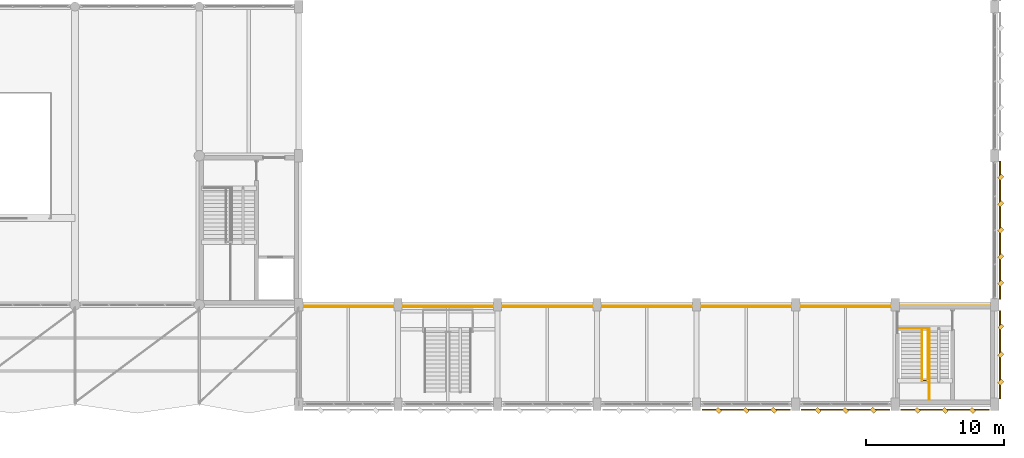
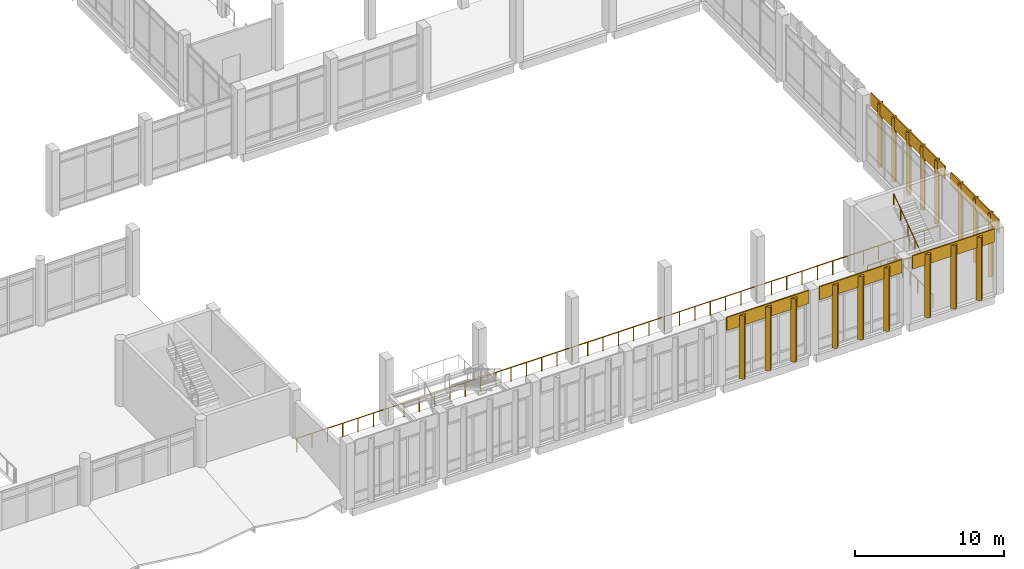
# One storey, part 176 of 180: 22 coverings, 5 railings.
"""IFC4 building model written with IfcOpenShell, lengths in metres."""

from ifc_helpers import new_model, si_unit, direction, frame, origin, origin_2d, place, context, subcontext, project, spatial, rectangle, circle, extrude, material, layer, layer_set, type_object, element, save


model = new_model("IFC4")

# Units and contexts
model_context = context("Model", 3, precision=1e-05, world=origin(), true_north=direction((0.0, 1.0)))
body_context = subcontext(model_context, "Body", "Model", "MODEL_VIEW")
ifc_project = project(units=[si_unit("LENGTHUNIT", "METRE"), si_unit("AREAUNIT", "SQUARE_METRE"), si_unit("VOLUMEUNIT", "CUBIC_METRE"), si_unit("PLANEANGLEUNIT", "RADIAN"), si_unit("MASSUNIT", "GRAM", prefix="KILO")], contexts=[model_context])

# Site, building, storey
site_placement = place(None, origin())
site = spatial("IfcSite", under=ifc_project, at=site_placement, CompositionType="ELEMENT")
building_placement = place(site_placement, origin())
building = spatial("IfcBuilding", under=site, at=building_placement, Name="Lusvemor Sports Hall", CompositionType="ELEMENT")
storey_placement = place(building_placement, frame((0.0, 0.0, 5.39990234375)))
storey = spatial("IfcBuildingStorey", under=building, at=storey_placement, Name="L01", CompositionType="ELEMENT", Elevation=5.39990234375)

# Coverings
ifc_material_1 = material(Name="Emerald polychrome glazed ceramic cladding on Concrete C40/50 backing", Category="concrete")
ifc_layer_1 = layer(ifc_material_1, 0.0458984375)
ifc_layer_set_1 = layer_set([ifc_layer_1], Name="Emerald polychrome glazed ceramic cladding on Concrete C40/50 backing")
covering_type_1 = type_object("IfcCoveringType", Name="CLAD_WAVE_EMERALD", PredefinedType="CLADDING", material=ifc_layer_set_1)
for number, where, z_axis, x_axis, name in (
    (1, (151.199951171875, -0.43994140625, 0.10009765625), (0.0, 0.0, 1.0), (0.707106781187, 0.707106781187, 0.0), "Patterned Diamond Cladding Rib 214"),
    (2, (158.39990234375, -0.43994140625, 0.10009765625), (0.0, 0.0, 1.0), (0.707106781187, 0.707106781187, 0.0), "Patterned Diamond Cladding Rib 230"),
    (3, (165.60009765625, -0.43994140625, 0.10009765625), (0.0, 0.0, 1.0), (0.707106781187, 0.707106781187, 0.0), "Patterned Diamond Cladding Rib 246"),
):
    element("IfcCovering", number, at=place(storey_placement, frame(where, z_axis=z_axis, x_axis=x_axis)), inside=storey, type_object=covering_type_1, Name=name, PredefinedType="CLADDING", context=body_context, shape_type="SweptSolid", body=[
        extrude(rectangle(XDim=0.280029296875, YDim=0.3798828125, at=origin_2d()), origin(), (0.0, 0.0, 1.0), 5.199951171875),
    ])
for number, where, z_axis, x_axis, name in (
    (4, (169.639892578125, 3.60009765625, 0.10009765625), (0.0, 0.0, 1.0), (0.707106781187, 0.707106781187, 0.0), "Patterned Diamond Cladding Rib 268"),
    (5, (169.639892578125, 10.679931640625, 0.10009765625), (0.0, 0.0, 1.0), (0.707106781187, 0.707106781187, 0.0), "Patterned Diamond Cladding Rib 286"),
    (6, (169.639892578125, 14.52001953125, 0.10009765625), (0.0, 0.0, 1.0), (0.707106781187, 0.707106781187, 0.0), "Patterned Diamond Cladding Rib 288"),
):
    element("IfcCovering", number, at=place(storey_placement, frame(where, z_axis=z_axis, x_axis=x_axis)), inside=storey, type_object=covering_type_1, Name=name, PredefinedType="CLADDING", context=body_context, shape_type="SweptSolid", body=[
        extrude(rectangle(XDim=0.3798828125, YDim=0.280029296875, at=origin_2d()), origin(), (0.0, 0.0, 1.0), 5.199951171875),
    ])
ifc_material_2 = material(Name="Warm terracotta Art Nouveau ceramic cladding on Concrete C40/50 backing", Category="masonry")
ifc_layer_2 = layer(ifc_material_2, 0.0380859375)
ifc_layer_set_2 = layer_set([ifc_layer_2], Name="Warm terracotta Art Nouveau ceramic cladding on Concrete C40/50 backing")
covering_type_2 = type_object("IfcCoveringType", Name="CLAD_WAVE_OCHRE", PredefinedType="CLADDING", material=ifc_layer_set_2)
for number, where, z_axis, x_axis, name in (
    (7, (151.199951171875, -0.389892578125, 4.380126953125), (0.0, 0.0, 1.0), (1.0, 0.0, 0.0), "Art Nouveau Spandrel Cornice 212"),
    (8, (158.39990234375, -0.389892578125, 4.380126953125), (0.0, 0.0, 1.0), (1.0, 0.0, 0.0), "Art Nouveau Spandrel Cornice 228"),
    (9, (165.60009765625, -0.389892578125, 4.380126953125), (0.0, 0.0, 1.0), (1.0, 0.0, 0.0), "Art Nouveau Spandrel Cornice 244"),
):
    element("IfcCovering", number, at=place(storey_placement, frame(where, z_axis=z_axis, x_axis=x_axis)), inside=storey, type_object=covering_type_2, Name=name, PredefinedType="CLADDING", context=body_context, shape_type="SweptSolid", body=[
        extrude(rectangle(XDim=6.3798828125, YDim=0.090087890625, at=origin_2d()), origin(), (0.0, 0.0, 1.0), 1.080078125),
    ])
covering_1_placement = place(storey_placement, frame((169.590087890625, 3.60009765625, 4.380126953125), z_axis=(0.0, 0.0, 1.0), x_axis=(1.0, 0.0, 0.0)))
element("IfcCovering", 10, at=covering_1_placement, inside=storey, type_object=covering_type_2, Name="Art Nouveau Spandrel Cornice 266", PredefinedType="CLADDING", context=body_context, shape_type="SweptSolid", body=[
    extrude(rectangle(XDim=0.090087890625, YDim=6.3798828125, at=origin_2d()), origin(), (0.0, 0.0, 1.0), 1.080078125),
])
covering_2_placement = place(storey_placement, frame((169.590087890625, 12.60009765625, 4.380126953125), z_axis=(0.0, 0.0, 1.0), x_axis=(1.0, 0.0, 0.0)))
element("IfcCovering", 11, at=covering_2_placement, inside=storey, type_object=covering_type_2, Name="Art Nouveau Spandrel Cornice 284", PredefinedType="CLADDING", context=body_context, shape_type="SweptSolid", body=[
    extrude(rectangle(XDim=0.090087890625, YDim=9.97998046875, at=origin_2d()), origin(), (0.0, 0.0, 1.0), 1.080078125),
])
ifc_material_3 = material(Name="Warm terracotta Art Nouveau ceramic cladding on Concrete C40/50 backing", Category="masonry")
ifc_layer_3 = layer(ifc_material_3, 0.449951171875)
ifc_layer_set_3 = layer_set([ifc_layer_3], Name="Warm terracotta Art Nouveau ceramic cladding on Concrete C40/50 backing")
covering_type_3 = type_object("IfcCoveringType", Name="FIN_BRISE_CER_450", PredefinedType="MOLDING", material=ifc_layer_set_3)
for number, where, z_axis, x_axis, name in (
    (12, (149.199951171875, -0.43994140625, 0.10009765625), (0.0, 0.0, 1.0), (0.707106781187, 0.707106781187, 0.0), "Patterned Diamond Cladding Rib 213"),
    (13, (153.199951171875, -0.43994140625, 0.10009765625), (0.0, 0.0, 1.0), (0.707106781187, 0.707106781187, 0.0), "Patterned Diamond Cladding Rib 215"),
    (14, (156.39990234375, -0.43994140625, 0.10009765625), (0.0, 0.0, 1.0), (0.707106781187, 0.707106781187, 0.0), "Patterned Diamond Cladding Rib 229"),
    (15, (160.39990234375, -0.43994140625, 0.10009765625), (0.0, 0.0, 1.0), (0.707106781187, 0.707106781187, 0.0), "Patterned Diamond Cladding Rib 231"),
    (16, (163.60009765625, -0.43994140625, 0.10009765625), (0.0, 0.0, 1.0), (0.707106781187, 0.707106781187, 0.0), "Patterned Diamond Cladding Rib 245"),
    (17, (167.60009765625, -0.43994140625, 0.10009765625), (0.0, 0.0, 1.0), (0.707106781187, 0.707106781187, 0.0), "Patterned Diamond Cladding Rib 247"),
):
    element("IfcCovering", number, at=place(storey_placement, frame(where, z_axis=z_axis, x_axis=x_axis)), inside=storey, type_object=covering_type_3, Name=name, PredefinedType="MOLDING", context=body_context, shape_type="SweptSolid", body=[
        extrude(rectangle(XDim=0.280029296875, YDim=0.3798828125, at=origin_2d()), origin(), (0.0, 0.0, 1.0), 5.199951171875),
    ])
for number, where, z_axis, x_axis, name in (
    (18, (169.639892578125, 1.60009765625, 0.10009765625), (0.0, 0.0, 1.0), (0.707106781187, 0.707106781187, 0.0), "Patterned Diamond Cladding Rib 267"),
    (19, (169.639892578125, 5.60009765625, 0.10009765625), (0.0, 0.0, 1.0), (0.707106781187, 0.707106781187, 0.0), "Patterned Diamond Cladding Rib 269"),
    (20, (169.639892578125, 8.760009765625, 0.10009765625), (0.0, 0.0, 1.0), (0.707106781187, 0.707106781187, 0.0), "Patterned Diamond Cladding Rib 285"),
    (21, (169.639892578125, 12.60009765625, 0.10009765625), (0.0, 0.0, 1.0), (0.707106781187, 0.707106781187, 0.0), "Patterned Diamond Cladding Rib 287"),
    (22, (169.639892578125, 16.43994140625, 0.10009765625), (0.0, 0.0, 1.0), (0.707106781187, 0.707106781187, 0.0), "Patterned Diamond Cladding Rib 289"),
):
    element("IfcCovering", number, at=place(storey_placement, frame(where, z_axis=z_axis, x_axis=x_axis)), inside=storey, type_object=covering_type_3, Name=name, PredefinedType="MOLDING", context=body_context, shape_type="SweptSolid", body=[
        extrude(rectangle(XDim=0.3798828125, YDim=0.280029296875, at=origin_2d()), origin(), (0.0, 0.0, 1.0), 5.199951171875),
    ])

# Railings
ifc_material_4 = material(Name="Bronze-finished wrought-steel Art Nouveau balustrade", Category="steel")
railing_type_1 = type_object("IfcRailingType", Name="RAIL_ATRIUM_BAL_115", PredefinedType="BALUSTRADE", material=ifc_material_4)
railing_1_placement = place(storey_placement, frame((119.0, 7.1201171875, 0.0)))
element("IfcRailing", 23, at=railing_1_placement, inside=storey, type_object=railing_type_1, Name="Court 2 Viewing Gallery Balustrade", PredefinedType="BALUSTRADE", context=body_context, shape_type="SweptSolid", body=[
    extrude(circle(Radius=0.02392578125, at=origin_2d()), frame((0.0, 0.0, 1.1259765625), z_axis=(1.0, 0.0, 0.0), x_axis=(0.0, 1.0, 0.0)), (0.0, 0.0, 1.0), 49.89990234375),
    extrude(circle(Radius=0.02099609375, at=origin_2d()), origin(), (0.0, 0.0, 1.0), 1.101806640625),
    extrude(circle(Radius=0.02099609375, at=origin_2d()), frame((1.18798828125, 0.0, 0.0)), (0.0, 0.0, 1.0), 1.101806640625),
    extrude(circle(Radius=0.02099609375, at=origin_2d()), frame((2.376220703125, 0.0, 0.0)), (0.0, 0.0, 1.0), 1.101806640625),
    extrude(circle(Radius=0.02099609375, at=origin_2d()), frame((3.564208984375, 0.0, 0.0)), (0.0, 0.0, 1.0), 1.101806640625),
    extrude(circle(Radius=0.02099609375, at=origin_2d()), frame((4.75244140625, 0.0, 0.0)), (0.0, 0.0, 1.0), 1.101806640625),
    extrude(circle(Radius=0.02099609375, at=origin_2d()), frame((5.9404296875, 0.0, 0.0)), (0.0, 0.0, 1.0), 1.101806640625),
    extrude(circle(Radius=0.02099609375, at=origin_2d()), frame((7.128662109375, 0.0, 0.0)), (0.0, 0.0, 1.0), 1.101806640625),
    extrude(circle(Radius=0.02099609375, at=origin_2d()), frame((8.316650390625, 0.0, 0.0)), (0.0, 0.0, 1.0), 1.101806640625),
    extrude(circle(Radius=0.02099609375, at=origin_2d()), frame((9.504638671875, 0.0, 0.0)), (0.0, 0.0, 1.0), 1.101806640625),
    extrude(circle(Radius=0.02099609375, at=origin_2d()), frame((10.69287109375, 0.0, 0.0)), (0.0, 0.0, 1.0), 1.101806640625),
    extrude(circle(Radius=0.02099609375, at=origin_2d()), frame((11.880859375, 0.0, 0.0)), (0.0, 0.0, 1.0), 1.101806640625),
    extrude(circle(Radius=0.02099609375, at=origin_2d()), frame((13.069091796875, 0.0, 0.0)), (0.0, 0.0, 1.0), 1.101806640625),
    extrude(circle(Radius=0.02099609375, at=origin_2d()), frame((14.257080078125, 0.0, 0.0)), (0.0, 0.0, 1.0), 1.101806640625),
    extrude(circle(Radius=0.02099609375, at=origin_2d()), frame((15.4453125, 0.0, 0.0)), (0.0, 0.0, 1.0), 1.101806640625),
    extrude(circle(Radius=0.02099609375, at=origin_2d()), frame((16.63330078125, 0.0, 0.0)), (0.0, 0.0, 1.0), 1.101806640625),
    extrude(circle(Radius=0.02099609375, at=origin_2d()), frame((17.8212890625, 0.0, 0.0)), (0.0, 0.0, 1.0), 1.101806640625),
    extrude(circle(Radius=0.02099609375, at=origin_2d()), frame((19.009521484375, 0.0, 0.0)), (0.0, 0.0, 1.0), 1.101806640625),
    extrude(circle(Radius=0.02099609375, at=origin_2d()), frame((20.197509765625, 0.0, 0.0)), (0.0, 0.0, 1.0), 1.101806640625),
    extrude(circle(Radius=0.02099609375, at=origin_2d()), frame((21.3857421875, 0.0, 0.0)), (0.0, 0.0, 1.0), 1.101806640625),
    extrude(circle(Radius=0.02099609375, at=origin_2d()), frame((22.57373046875, 0.0, 0.0)), (0.0, 0.0, 1.0), 1.101806640625),
    extrude(circle(Radius=0.02099609375, at=origin_2d()), frame((23.761962890625, 0.0, 0.0)), (0.0, 0.0, 1.0), 1.101806640625),
    extrude(circle(Radius=0.02099609375, at=origin_2d()), frame((24.949951171875, 0.0, 0.0)), (0.0, 0.0, 1.0), 1.101806640625),
    extrude(circle(Radius=0.02099609375, at=origin_2d()), frame((26.137939453125, 0.0, 0.0)), (0.0, 0.0, 1.0), 1.101806640625),
    extrude(circle(Radius=0.02099609375, at=origin_2d()), frame((27.326171875, 0.0, 0.0)), (0.0, 0.0, 1.0), 1.101806640625),
    extrude(circle(Radius=0.02099609375, at=origin_2d()), frame((28.51416015625, 0.0, 0.0)), (0.0, 0.0, 1.0), 1.101806640625),
    extrude(circle(Radius=0.02099609375, at=origin_2d()), frame((29.702392578125, 0.0, 0.0)), (0.0, 0.0, 1.0), 1.101806640625),
    extrude(circle(Radius=0.02099609375, at=origin_2d()), frame((30.890380859375, 0.0, 0.0)), (0.0, 0.0, 1.0), 1.101806640625),
    extrude(circle(Radius=0.02099609375, at=origin_2d()), frame((32.07861328125, 0.0, 0.0)), (0.0, 0.0, 1.0), 1.101806640625),
    extrude(circle(Radius=0.02099609375, at=origin_2d()), frame((33.2666015625, 0.0, 0.0)), (0.0, 0.0, 1.0), 1.101806640625),
    extrude(circle(Radius=0.02099609375, at=origin_2d()), frame((34.45458984375, 0.0, 0.0)), (0.0, 0.0, 1.0), 1.101806640625),
    extrude(circle(Radius=0.02099609375, at=origin_2d()), frame((35.642822265625, 0.0, 0.0)), (0.0, 0.0, 1.0), 1.101806640625),
    extrude(circle(Radius=0.02099609375, at=origin_2d()), frame((36.830810546875, 0.0, 0.0)), (0.0, 0.0, 1.0), 1.101806640625),
    extrude(circle(Radius=0.02099609375, at=origin_2d()), frame((38.01904296875, 0.0, 0.0)), (0.0, 0.0, 1.0), 1.101806640625),
    extrude(circle(Radius=0.02099609375, at=origin_2d()), frame((39.20703125, 0.0, 0.0)), (0.0, 0.0, 1.0), 1.101806640625),
    extrude(circle(Radius=0.02099609375, at=origin_2d()), frame((40.395263671875, 0.0, 0.0)), (0.0, 0.0, 1.0), 1.101806640625),
    extrude(circle(Radius=0.02099609375, at=origin_2d()), frame((41.583251953125, 0.0, 0.0)), (0.0, 0.0, 1.0), 1.101806640625),
    extrude(circle(Radius=0.02099609375, at=origin_2d()), frame((42.771240234375, 0.0, 0.0)), (0.0, 0.0, 1.0), 1.101806640625),
    extrude(circle(Radius=0.02099609375, at=origin_2d()), frame((43.95947265625, 0.0, 0.0)), (0.0, 0.0, 1.0), 1.101806640625),
    extrude(circle(Radius=0.02099609375, at=origin_2d()), frame((45.1474609375, 0.0, 0.0)), (0.0, 0.0, 1.0), 1.101806640625),
    extrude(circle(Radius=0.02099609375, at=origin_2d()), frame((46.335693359375, 0.0, 0.0)), (0.0, 0.0, 1.0), 1.101806640625),
    extrude(circle(Radius=0.02099609375, at=origin_2d()), frame((47.523681640625, 0.0, 0.0)), (0.0, 0.0, 1.0), 1.101806640625),
    extrude(circle(Radius=0.02099609375, at=origin_2d()), frame((48.7119140625, 0.0, 0.0)), (0.0, 0.0, 1.0), 1.101806640625),
    extrude(circle(Radius=0.02099609375, at=origin_2d()), frame((49.89990234375, 0.0, 0.0)), (0.0, 0.0, 1.0), 1.101806640625),
])
ifc_material_5 = material(Name="Bronze-finished wrought-steel Art Nouveau balustrade", Category="steel")
railing_type_2 = type_object("IfcRailingType", Name="RAIL_HANDRAIL_092", PredefinedType="HANDRAIL", material=ifc_material_5)
railing_2_placement = place(storey_placement, frame((163.929931640625, 5.47998046875, 0.0)))
element("IfcRailing", 24, at=railing_2_placement, inside=storey, type_object=railing_type_2, Name="Stair STR-C8-L01 Handrail F1", PredefinedType="HANDRAIL", context=body_context, shape_type="SweptSolid", body=[
    extrude(circle(Radius=0.02392578125, at=origin_2d()), frame((0.0, 0.0, 0.89599609375), z_axis=(0.0, -0.813715715614, 0.581263050746), x_axis=(1.0, 0.0, 0.0)), (0.0, 0.0, 1.0), 4.6455078125),
    extrude(circle(Radius=0.02099609375, at=origin_2d()), origin(), (0.0, 0.0, 1.0), 0.871826171875),
    extrude(circle(Radius=0.02099609375, at=origin_2d()), frame((0.0, -0.945068359375, 0.675048828125)), (0.0, 0.0, 1.0), 0.871826171875),
    extrude(circle(Radius=0.02099609375, at=origin_2d()), frame((0.0, -1.89013671875, 1.35009765625)), (0.0, 0.0, 1.0), 0.871826171875),
    extrude(circle(Radius=0.02099609375, at=origin_2d()), frame((0.0, -2.8349609375, 2.025146484375)), (0.0, 0.0, 1.0), 0.871826171875),
    extrude(circle(Radius=0.02099609375, at=origin_2d()), frame((0.0, -3.780029296875, 2.7001953125)), (0.0, 0.0, 1.0), 0.871826171875),
])
railing_3_placement = place(storey_placement, frame((164.3701171875, 1.699951171875, 2.7001953125)))
element("IfcRailing", 25, at=railing_3_placement, inside=storey, type_object=railing_type_2, Name="Stair STR-C8-L01 Handrail F2", PredefinedType="HANDRAIL", context=body_context, shape_type="SweptSolid", body=[
    extrude(circle(Radius=0.02392578125, at=origin_2d()), frame((0.0, 0.0, 0.89599609375), z_axis=(0.0, 0.813740573448, 0.581228250453), x_axis=(-1.0, 0.0, 0.0)), (0.0, 0.0, 1.0), 4.645263671875),
    extrude(circle(Radius=0.02099609375, at=origin_2d()), origin(), (0.0, 0.0, 1.0), 0.871826171875),
    extrude(circle(Radius=0.02099609375, at=origin_2d()), frame((0.0, 0.945068359375, 0.675048828125)), (0.0, 0.0, 1.0), 0.871826171875),
    extrude(circle(Radius=0.02099609375, at=origin_2d()), frame((0.0, 1.89013671875, 1.35009765625)), (0.0, 0.0, 1.0), 0.871826171875),
    extrude(circle(Radius=0.02099609375, at=origin_2d()), frame((0.0, 2.8349609375, 2.02490234375)), (0.0, 0.0, 1.0), 0.871826171875),
    extrude(circle(Radius=0.02099609375, at=origin_2d()), frame((0.0, 3.780029296875, 2.699951171875)), (0.0, 0.0, 1.0), 0.871826171875),
])
ifc_material_6 = material(Name="Bronze-finished wrought-steel Art Nouveau balustrade", Category="steel")
railing_type_3 = type_object("IfcRailingType", Name="RAIL_STAIR_GUARD_112", PredefinedType="GUARDRAIL", material=ifc_material_6)
railing_4_placement = place(storey_placement, frame((162.340087890625, 5.5, 0.0)))
element("IfcRailing", 26, at=railing_4_placement, inside=storey, type_object=railing_type_3, Name="Stairwell C8 Top Guard (L01)", PredefinedType="GUARDRAIL", context=body_context, shape_type="SweptSolid", body=[
    extrude(circle(Radius=0.02392578125, at=origin_2d()), frame((0.0, 0.0, 1.09619140625), z_axis=(1.0, 0.0, 0.0), x_axis=(0.0, 1.0, 0.0)), (0.0, 0.0, 1.0), 2.119873046875),
    extrude(circle(Radius=0.02392578125, at=origin_2d()), frame((2.119873046875, 0.0, 1.09619140625), z_axis=(0.0, -1.0, 0.0), x_axis=(1.0, 0.0, 0.0)), (0.0, 0.0, 1.0), 5.159912109375),
    extrude(circle(Radius=0.02099609375, at=origin_2d()), origin(), (0.0, 0.0, 1.0), 1.072021484375),
    extrude(circle(Radius=0.02099609375, at=origin_2d()), frame((1.06005859375, 0.0, 0.0)), (0.0, 0.0, 1.0), 1.072021484375),
    extrude(circle(Radius=0.02099609375, at=origin_2d()), frame((2.119873046875, 0.0, 0.0)), (0.0, 0.0, 1.0), 1.072021484375),
    extrude(circle(Radius=0.02099609375, at=origin_2d()), frame((2.119873046875, -1.031982421875, 0.0)), (0.0, 0.0, 1.0), 1.072021484375),
    extrude(circle(Radius=0.02099609375, at=origin_2d()), frame((2.119873046875, -2.06396484375, 0.0)), (0.0, 0.0, 1.0), 1.072021484375),
    extrude(circle(Radius=0.02099609375, at=origin_2d()), frame((2.119873046875, -3.095947265625, 0.0)), (0.0, 0.0, 1.0), 1.072021484375),
    extrude(circle(Radius=0.02099609375, at=origin_2d()), frame((2.119873046875, -4.1279296875, 0.0)), (0.0, 0.0, 1.0), 1.072021484375),
    extrude(circle(Radius=0.02099609375, at=origin_2d()), frame((2.119873046875, -5.159912109375, 0.0)), (0.0, 0.0, 1.0), 1.072021484375),
])
railing_5_placement = place(storey_placement, frame((163.929931640625, 1.719970703125, 2.7001953125)))
element("IfcRailing", 27, at=railing_5_placement, inside=storey, type_object=railing_type_3, Name="Stair STR-C8-L01 Mid Well Guard", PredefinedType="GUARDRAIL", context=body_context, shape_type="SweptSolid", body=[
    extrude(circle(Radius=0.02392578125, at=origin_2d()), frame((0.0, 0.0, 1.09619140625), z_axis=(1.0, 0.0, 0.0), x_axis=(0.0, 1.0, 0.0)), (0.0, 0.0, 1.0), 0.440185546875),
    extrude(circle(Radius=0.02099609375, at=origin_2d()), origin(), (0.0, 0.0, 1.0), 1.072021484375),
    extrude(circle(Radius=0.02099609375, at=origin_2d()), frame((0.440185546875, 0.0, 0.0)), (0.0, 0.0, 1.0), 1.072021484375),
])

save(model, "model.ifc")
